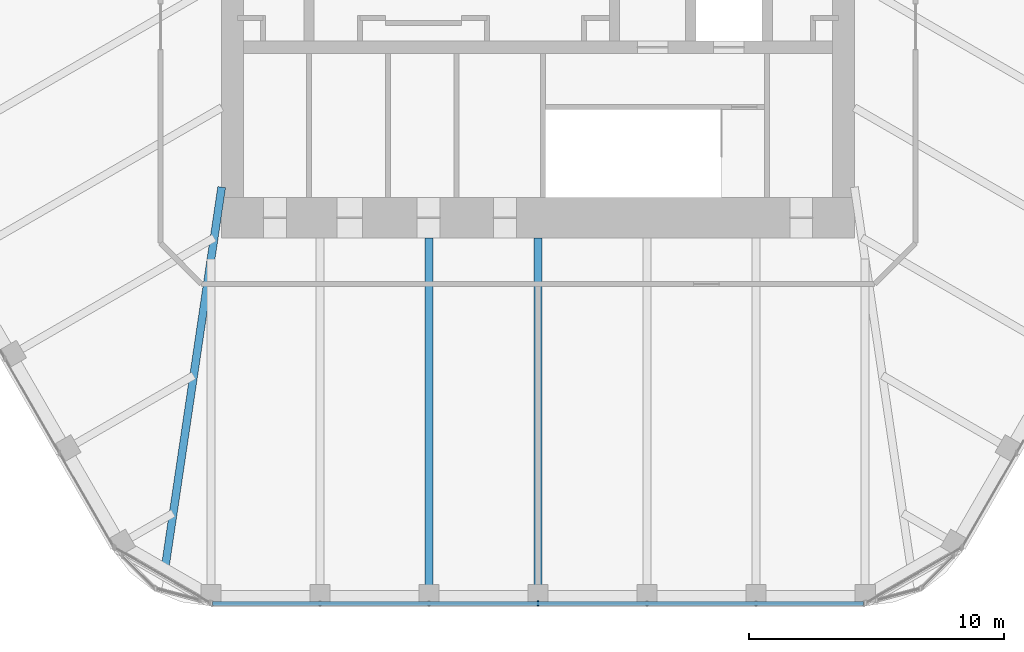
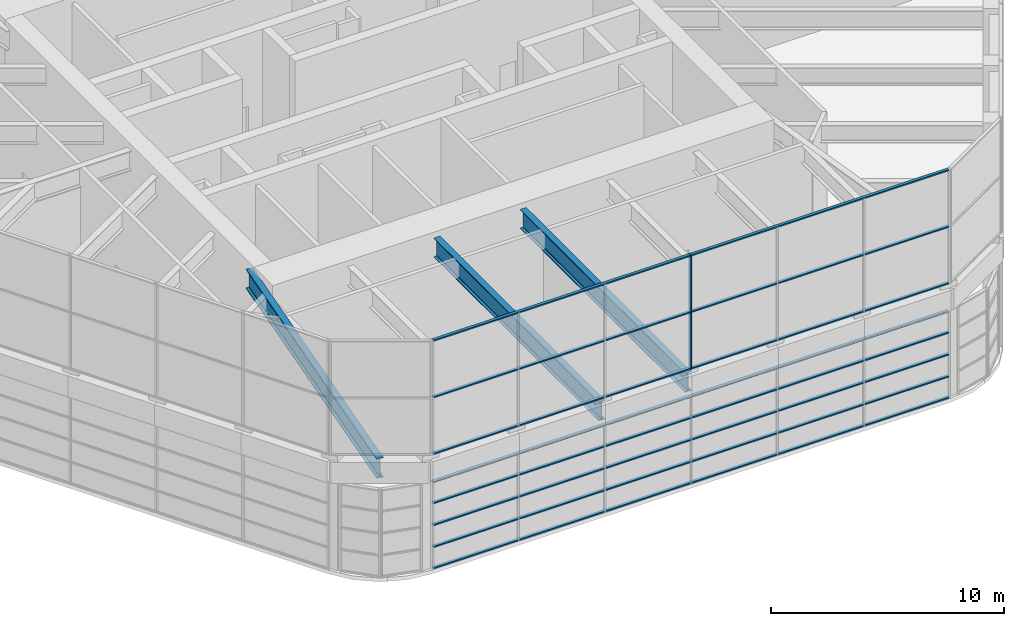
# One storey, part 3 of 17: 9 members, 3 beams, 2 elements without a shape of their own.
"""IFC4 building model written with IfcOpenShell, lengths in metres."""

import ifcopenshell
import ifcopenshell.guid

model = None  # the IFC model being written
_history = None  # IfcOwnerHistory: only IFC2X3 demands one
_inside = {}  # id of a spatial element -> (the spatial element, [elements in it])
_under = {}  # id of a project, library or spatial element -> (it, [spatial elements below it])
_declared = {}  # id of a project -> (the project, [libraries it declares])
_typed = {}  # id of a type object -> (the type object, [elements of that type])
_made_of = {}  # id of a material, layer set ... -> (it, [elements and type objects made of it])


def new_model(schema):
    """Start an empty IFC model of exactly this schema.

    Asked for "IFC4X3", IfcOpenShell would pick the latest addendum, in which some entities
    have other attributes; the version numbers below select the first issue.
    IFC2X3 requires an IfcOwnerHistory on every rooted entity: one is made here for all.
    """
    global model, _history
    if schema == "IFC4X3":
        model = ifcopenshell.file(schema_version=(4, 3, 0, 0))
    else:
        model = ifcopenshell.file(schema=schema)
    _inside.clear()
    _under.clear()
    _declared.clear()
    _typed.clear()
    _made_of.clear()
    _history = None
    if model.schema == "IFC2X3":
        org = make("IfcOrganization", Name="unknown")
        user = make(
            "IfcPersonAndOrganization",
            ThePerson=make("IfcPerson", FamilyName="unknown"),
            TheOrganization=org,
        )
        app = make(
            "IfcApplication",
            ApplicationDeveloper=org,
            Version="unknown",
            ApplicationFullName="unknown",
            ApplicationIdentifier="unknown",
        )
        _history = make(
            "IfcOwnerHistory",
            OwningUser=user,
            OwningApplication=app,
            ChangeAction="ADDED",
            CreationDate=0,
        )
    return model


def make(cls, **values):
    """One entity of the class cls with the attributes given. An attribute that is None is left unset."""
    return model.create_entity(
        cls, **{name: value for name, value in values.items() if value is not None}
    )


def rooted(cls, **values):
    """An entity with a GlobalId (a new one), such as an element, a storey or a relation."""
    return make(cls, GlobalId=ifcopenshell.guid.new(), OwnerHistory=_history, **values)


def si_unit(unit_type, name, prefix=None):
    """IfcSIUnit, for example si_unit("LENGTHUNIT", "METRE", prefix="MILLI")."""
    return make("IfcSIUnit", UnitType=unit_type, Prefix=prefix, Name=name)


def assignment(units):
    """IfcUnitAssignment: the units of a project."""
    return None if units is None else make("IfcUnitAssignment", Units=units)


def point(xyz):
    """IfcCartesianPoint."""
    return None if xyz is None else make("IfcCartesianPoint", Coordinates=xyz)


def direction(xyz):
    """IfcDirection."""
    return None if xyz is None else make("IfcDirection", DirectionRatios=xyz)


def frame(location, z_axis=None, x_axis=None):
    """IfcAxis2Placement3D, a coordinate frame: its origin and axes. An axis left out is left unset."""
    return make(
        "IfcAxis2Placement3D",
        Location=point(location),
        Axis=direction(z_axis),
        RefDirection=direction(x_axis),
    )


def frame_2d(location, x_axis=None):
    """IfcAxis2Placement2D, a coordinate frame in the plane: its origin and x axis."""
    return make(
        "IfcAxis2Placement2D", Location=point(location), RefDirection=direction(x_axis)
    )


def origin():
    """The frame at (0, 0, 0) with its axes left unset."""
    return frame((0.0, 0.0, 0.0))


def origin_2d():
    """The frame at (0, 0) in the plane with its x axis left unset."""
    return frame_2d((0.0, 0.0))


def place(relative_to, where):
    """IfcLocalPlacement: puts the frame where relative to a parent placement (None: the world)."""
    return make(
        "IfcLocalPlacement", PlacementRelTo=relative_to, RelativePlacement=where
    )


def context(
    kind, dimensions, precision=None, world=None, true_north=None, identifier=None
):
    """IfcGeometricRepresentationContext, for example the 3D "Model" context."""
    return make(
        "IfcGeometricRepresentationContext",
        ContextIdentifier=identifier,
        ContextType=kind,
        CoordinateSpaceDimension=dimensions,
        Precision=precision,
        WorldCoordinateSystem=world,
        TrueNorth=true_north,
    )


def subcontext(parent, identifier, kind, view, scale=None):
    """IfcGeometricRepresentationSubContext, for example "Body" below "Model"."""
    return make(
        "IfcGeometricRepresentationSubContext",
        ContextIdentifier=identifier,
        ContextType=kind,
        ParentContext=parent,
        TargetScale=scale,
        TargetView=view,
    )


def project(units=None, contexts=None):
    """IfcProject with its units and contexts."""
    return rooted(
        "IfcProject",
        Name="project",
        RepresentationContexts=contexts,
        UnitsInContext=assignment(units),
    )


def spatial(cls, under=None, at=None, **own):
    """A site, building, storey or space (cls), placed at a placement, below another one or the project."""
    s = rooted(cls, ObjectPlacement=at, **own)
    if under is not None:
        _under.setdefault(under.id(), (under, []))[1].append(s)
    return s


def profile(cls, at=None, kind="AREA", **sizes):
    """A parametric profile (cls). Its sizes go by their IFC names, for example OverallWidth=200.0."""
    return make(cls, ProfileType=kind, Position=at, **sizes)


def rectangle(**sizes):
    """IfcRectangleProfileDef."""
    return profile("IfcRectangleProfileDef", **sizes)


def i_section(**sizes):
    """IfcIShapeProfileDef."""
    return profile("IfcIShapeProfileDef", **sizes)


def extrude(swept, where, along, depth):
    """IfcExtrudedAreaSolid: the profile swept, set in the frame where, extruded along a direction by depth."""
    return make(
        "IfcExtrudedAreaSolid",
        SweptArea=swept,
        Position=where,
        ExtrudedDirection=direction(along),
        Depth=depth,
    )


def shape(context_of_items, identifier, shape_type, items):
    """IfcShapeRepresentation: the items that make up one representation, for example the "Body"."""
    return make(
        "IfcShapeRepresentation",
        ContextOfItems=context_of_items,
        RepresentationIdentifier=identifier,
        RepresentationType=shape_type,
        Items=items,
    )


def material(Name=None, Category=None):
    """IfcMaterial."""
    return make("IfcMaterial", Name=Name, Category=Category)


def material_profile(
    of_material, cross_section, Name=None, Category=None, Priority=None
):
    """IfcMaterialProfile: a cross section and its material."""
    return make(
        "IfcMaterialProfile",
        Name=Name,
        Material=of_material,
        Profile=cross_section,
        Priority=Priority,
        Category=Category,
    )


def profile_set(profiles, Name=None, composite=None):
    """IfcMaterialProfileSet."""
    return make(
        "IfcMaterialProfileSet",
        Name=Name,
        MaterialProfiles=profiles,
        CompositeProfile=composite,
    )


def made_of(thing, what):
    """Note that an element or type object is made of a material, layer set ...; save() writes the relation."""
    if what is not None:
        _made_of.setdefault(what.id(), (what, []))[1].append(thing)
    return thing


def type_object(cls, material=None, **own):
    """A type object (cls), such as IfcWallType, which elements share."""
    return made_of(rooted(cls, **own), material)


def element(
    cls,
    number,
    at=None,
    inside=None,
    cuts=None,
    type_object=None,
    material=None,
    context=None,
    identifier="Body",
    shape_type=None,
    held_by="IfcProductDefinitionShape",
    body=None,
    shapes=None,
    **own,
):
    """One element of the class cls, such as IfcWall. Its Tag is "e" and its number.

    at: its placement. inside: the storey or other place that contains it. cuts: it is an
    opening in that element (IfcRelVoidsElement). A single representation is given by context,
    identifier, shape_type and body (its items); several are given by shapes. held_by: the class
    of the entity that holds the representations. save() writes the other relations.
    """
    e = rooted(cls, Tag="e%d" % number, ObjectPlacement=at, **own)
    if body is not None:
        shapes = [shape(context, identifier, shape_type, body)]
    if shapes is not None:
        e.Representation = make(held_by, Representations=shapes)
    if inside is not None:
        _inside.setdefault(inside.id(), (inside, []))[1].append(e)
    if cuts is not None:
        rooted(
            "IfcRelVoidsElement", RelatingBuildingElement=cuts, RelatedOpeningElement=e
        )
    if type_object is not None:
        _typed.setdefault(type_object.id(), (type_object, []))[1].append(e)
    return made_of(e, material)


def aggregate(whole, parts):
    """IfcRelAggregates: a whole, such as a stair, and the parts it consists of."""
    return rooted("IfcRelAggregates", RelatingObject=whole, RelatedObjects=parts)


def save(model, path):
    """Write the relations noted so far, then the file.

    IfcRelAggregates (storeys below a building ...), IfcRelContainedInSpatialStructure (elements
    in a storey), IfcRelDefinesByType, IfcRelAssociatesMaterial and IfcRelDeclares: one each for
    every whole, place, type object, material and project.
    """
    for whole, parts in _under.values():
        aggregate(whole, parts)
    for where, things in _inside.values():
        rooted(
            "IfcRelContainedInSpatialStructure",
            RelatedElements=things,
            RelatingStructure=where,
        )
    for kind, things in _typed.values():
        rooted("IfcRelDefinesByType", RelatedObjects=things, RelatingType=kind)
    for what, things in _made_of.values():
        rooted("IfcRelAssociatesMaterial", RelatedObjects=things, RelatingMaterial=what)
    for by, libraries in _declared.values():
        rooted("IfcRelDeclares", RelatingContext=by, RelatedDefinitions=libraries)
    model.write(path)


model = new_model("IFC4")

# Units and contexts
model_context = context("Model", 3, precision=1e-05, world=origin(), true_north=direction((0.0, 1.0)))
body_context = subcontext(model_context, "Body", "Model", "MODEL_VIEW")
ifc_project = project(units=[si_unit("LENGTHUNIT", "METRE"), si_unit("AREAUNIT", "SQUARE_METRE"), si_unit("VOLUMEUNIT", "CUBIC_METRE"), si_unit("PLANEANGLEUNIT", "RADIAN"), si_unit("MASSUNIT", "GRAM", prefix="KILO")], contexts=[model_context])

# Site, building, storey
site_placement = place(None, origin())
site = spatial("IfcSite", under=ifc_project, at=site_placement, CompositionType="ELEMENT")
building_placement = place(site_placement, origin())
building = spatial("IfcBuilding", under=site, at=building_placement, Name="Tarfa Lantern Tower", CompositionType="ELEMENT")
storey_placement = place(building_placement, frame((0.0, 0.0, 402.300048828125)))
storey = spatial("IfcBuildingStorey", under=building, at=storey_placement, Name="L91", CompositionType="ELEMENT", Elevation=402.300048828125)

# Curtain wall, member
ifc_material_1 = material(Name="Aluminium framed curtain wall", Category="aluminium")
curtain_wall_type_1 = type_object("IfcCurtainWallType", Name="CW9 CROWN SCREEN GLAZING 6000", PredefinedType="USERDEFINED", material=ifc_material_1)
curtain_wall_1_placement = place(storey_placement, origin())
curtain_wall_1 = element("IfcCurtainWall", 1, at=curtain_wall_1_placement, inside=storey, type_object=curtain_wall_type_1, Name="CW9 S L91", ObjectType="CURTAIN WALL", PredefinedType="USERDEFINED")
ifc_material_2 = material(Name="Aluminium mullion", Category="aluminium")
ifc_material_profile_1 = material_profile(ifc_material_2, rectangle(XDim=0.06494140625, YDim=0.199951171875, at=origin_2d()), Name="AL MULLION 65x200")
ifc_profile_set_1 = profile_set([ifc_material_profile_1], Name="Aluminium mullion")
member_type_1 = type_object("IfcMemberType", Name="CWM1 MULLION 65x200", PredefinedType="MULLION", material=ifc_profile_set_1)
member_1_placement = place(storey_placement, frame((0.0, -26.64990234375, 6.0), z_axis=(0.0, 0.0, 1.0), x_axis=(1.0, 0.0, 0.0)))
member_1 = element("IfcMember", 2, at=member_1_placement, type_object=member_type_1, Name="CW9 mullion 4", PredefinedType="MULLION", context=body_context, shape_type="SweptSolid", body=[
    extrude(rectangle(XDim=0.06494140625, YDim=0.199951171875, at=origin_2d()), origin(), (0.0, 0.0, 1.0), 6.0),
])

# Curtain wall, members
curtain_wall_type_2 = type_object("IfcCurtainWallType", Name="CW8 LANTERN GLAZING 4600", PredefinedType="USERDEFINED", material=ifc_material_1)
curtain_wall_2_placement = place(storey_placement, origin())
curtain_wall_2 = element("IfcCurtainWall", 3, at=curtain_wall_2_placement, inside=storey, type_object=curtain_wall_type_2, Name="CW8 S L91", ObjectType="CURTAIN WALL", PredefinedType="USERDEFINED")
ifc_material_3 = material(Name="Aluminium transom", Category="aluminium")
ifc_material_profile_2 = material_profile(ifc_material_3, rectangle(XDim=0.14990234375, YDim=0.06494140625, at=origin_2d()), Name="AL TRANSOM 150x65")
ifc_profile_set_2 = profile_set([ifc_material_profile_2], Name="Aluminium transom")
member_type_2 = type_object("IfcMemberType", Name="CWT1 TRANSOM 150x65", PredefinedType="USERDEFINED", material=ifc_profile_set_2)
member_2_placement = place(storey_placement, frame((-12.781005859375, -26.64990234375, 0.032470703125), z_axis=(1.0, 0.0, 0.0), x_axis=(0.0, 1.0, 0.0)))
member_2 = element("IfcMember", 4, at=member_2_placement, type_object=member_type_2, Name="CW8 transom 1.1", ObjectType="TRANSOM", PredefinedType="USERDEFINED", context=body_context, shape_type="SweptSolid", body=[
    extrude(rectangle(XDim=0.14990234375, YDim=0.06494140625, at=origin_2d()), origin(), (0.0, 0.0, 1.0), 25.56201171875),
])
member_3_placement = place(storey_placement, frame((-12.781005859375, -26.64990234375, 1.14990234375), z_axis=(1.0, 0.0, 0.0), x_axis=(0.0, 1.0, 0.0)))
member_3 = element("IfcMember", 5, at=member_3_placement, type_object=member_type_2, Name="CW8 transom 1.2", ObjectType="TRANSOM", PredefinedType="USERDEFINED", context=body_context, shape_type="SweptSolid", body=[
    extrude(rectangle(XDim=0.14990234375, YDim=0.06494140625, at=origin_2d()), origin(), (0.0, 0.0, 1.0), 25.56201171875),
])
member_4_placement = place(storey_placement, frame((-12.781005859375, -26.64990234375, 2.300048828125), z_axis=(1.0, 0.0, 0.0), x_axis=(0.0, 1.0, 0.0)))
member_4 = element("IfcMember", 6, at=member_4_placement, type_object=member_type_2, Name="CW8 transom 1.3", ObjectType="TRANSOM", PredefinedType="USERDEFINED", context=body_context, shape_type="SweptSolid", body=[
    extrude(rectangle(XDim=0.14990234375, YDim=0.06494140625, at=origin_2d()), origin(), (0.0, 0.0, 1.0), 25.56201171875),
])
member_5_placement = place(storey_placement, frame((-12.781005859375, -26.64990234375, 3.449951171875), z_axis=(1.0, 0.0, 0.0), x_axis=(0.0, 1.0, 0.0)))
member_5 = element("IfcMember", 7, at=member_5_placement, type_object=member_type_2, Name="CW8 transom 1.4", ObjectType="TRANSOM", PredefinedType="USERDEFINED", context=body_context, shape_type="SweptSolid", body=[
    extrude(rectangle(XDim=0.14990234375, YDim=0.06494140625, at=origin_2d()), origin(), (0.0, 0.0, 1.0), 25.56201171875),
])
member_6_placement = place(storey_placement, frame((-12.781005859375, -26.64990234375, 4.5673828125), z_axis=(1.0, 0.0, 0.0), x_axis=(0.0, 1.0, 0.0)))
member_6 = element("IfcMember", 8, at=member_6_placement, type_object=member_type_2, Name="CW8 transom 1.5", ObjectType="TRANSOM", PredefinedType="USERDEFINED", context=body_context, shape_type="SweptSolid", body=[
    extrude(rectangle(XDim=0.14990234375, YDim=0.06494140625, at=origin_2d()), origin(), (0.0, 0.0, 1.0), 25.56201171875),
])
aggregate(curtain_wall_2, [member_2, member_3, member_4, member_5, member_6])

# Member
member_7_placement = place(storey_placement, frame((-12.781005859375, -26.64990234375, 6.032470703125), z_axis=(1.0, 0.0, 0.0), x_axis=(0.0, 1.0, 0.0)))
member_7 = element("IfcMember", 9, at=member_7_placement, type_object=member_type_2, Name="CW9 transom 1.1", ObjectType="TRANSOM", PredefinedType="USERDEFINED", context=body_context, shape_type="SweptSolid", body=[
    extrude(rectangle(XDim=0.14990234375, YDim=0.06494140625, at=origin_2d()), origin(), (0.0, 0.0, 1.0), 25.56201171875),
])

member_8_placement = place(storey_placement, frame((-12.781005859375, -26.64990234375, 9.0), z_axis=(1.0, 0.0, 0.0), x_axis=(0.0, 1.0, 0.0)))
member_8 = element("IfcMember", 10, at=member_8_placement, type_object=member_type_2, Name="CW9 transom 1.2", ObjectType="TRANSOM", PredefinedType="USERDEFINED", context=body_context, shape_type="SweptSolid", body=[
    extrude(rectangle(XDim=0.14990234375, YDim=0.06494140625, at=origin_2d()), origin(), (0.0, 0.0, 1.0), 25.56201171875),
])

member_9_placement = place(storey_placement, frame((-12.781005859375, -26.64990234375, 11.967529296875), z_axis=(1.0, 0.0, 0.0), x_axis=(0.0, 1.0, 0.0)))
member_9 = element("IfcMember", 11, at=member_9_placement, type_object=member_type_2, Name="CW9 transom 1.3", ObjectType="TRANSOM", PredefinedType="USERDEFINED", context=body_context, shape_type="SweptSolid", body=[
    extrude(rectangle(XDim=0.14990234375, YDim=0.06494140625, at=origin_2d()), origin(), (0.0, 0.0, 1.0), 25.56201171875),
])

aggregate(curtain_wall_1, [member_1, member_7, member_8, member_9])

# Beams
ifc_material_4 = material(Name="Steel S460M", Category="steel")
ifc_material_profile_3 = material_profile(ifc_material_4, i_section(OverallWidth=0.302001953125, OverallDepth=1.008056640625, WebThickness=0.02099609375, FlangeThickness=0.0400390625, FilletRadius=0.030029296875, at=origin_2d()), Name="UB1016x305x349")
ifc_profile_set_3 = profile_set([ifc_material_profile_3], Name="Steel S460M")
beam_type_1 = type_object("IfcBeamType", Name="UB1016x305x349", PredefinedType="BEAM", material=ifc_profile_set_3)
for number, where, z_axis, x_axis, name in (
    (12, (-4.281982421875, -26.469970703125, 5.19580078125), (0.0, 1.0, 0.0), (-1.0, 0.0, 0.0), "Floor beam S2"),
    (13, (0.0, -26.469970703125, 5.19580078125), (0.0, 1.0, 0.0), (-1.0, 0.0, 0.0), "Floor beam S3"),
):
    element("IfcBeam", number, at=place(storey_placement, frame(where, z_axis=z_axis, x_axis=x_axis)), inside=storey, type_object=beam_type_1, Name=name, PredefinedType="BEAM", context=body_context, shape_type="SweptSolid", body=[
        extrude(i_section(OverallWidth=0.302001953125, OverallDepth=1.008056640625, WebThickness=0.02099609375, FlangeThickness=0.0400390625, FilletRadius=0.030029296875, at=origin_2d()), origin(), (0.0, 0.0, 1.0), 14.169921875),
    ])
ifc_material_profile_4 = material_profile(ifc_material_4, i_section(OverallWidth=0.30859375, OverallDepth=1.036376953125, WebThickness=0.030029296875, FlangeThickness=0.05419921875, FilletRadius=0.030029296875, at=origin_2d()), Name="UB1016x305x487")
ifc_profile_set_4 = profile_set([ifc_material_profile_4], Name="Steel S460M")
beam_type_2 = type_object("IfcBeamType", Name="UB1016x305x487", PredefinedType="BEAM", material=ifc_profile_set_4)
beam_placement = place(storey_placement, frame((-12.425048828125, -10.300048828125, 5.181884765625), z_axis=(-0.147127069073, -0.989117599452, 0.0), x_axis=(0.989117599452, -0.147127069073, 0.0)))
element("IfcBeam", 14, at=beam_placement, inside=storey, type_object=beam_type_2, Name="Hip girder SW", PredefinedType="BEAM", context=body_context, shape_type="SweptSolid", body=[
    extrude(i_section(OverallWidth=0.30859375, OverallDepth=1.036376953125, WebThickness=0.030029296875, FlangeThickness=0.05419921875, FilletRadius=0.030029296875, at=origin_2d()), origin(), (0.0, 0.0, 1.0), 15.28125),
])

save(model, "model.ifc")
